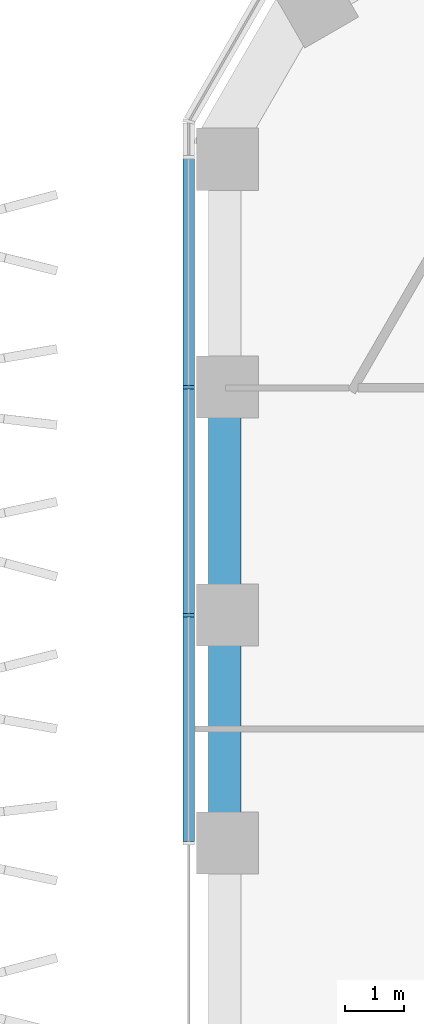
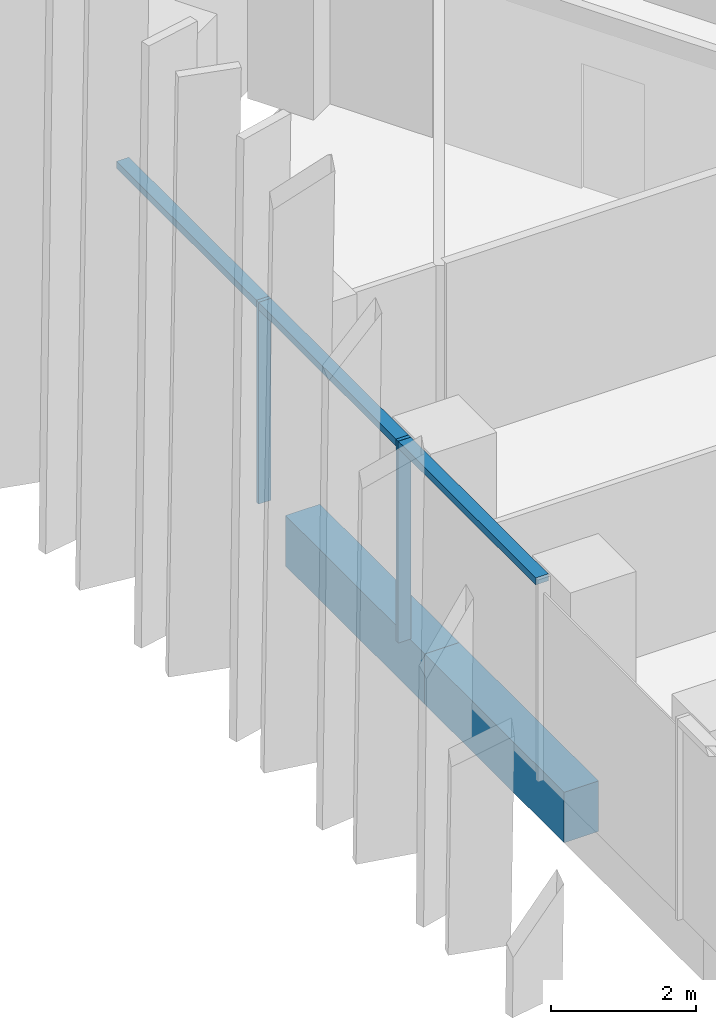
# One storey, part 3 of 19: 3 members, 2 beams, 1 element without a shape of its own.
"""IFC4 building model written with IfcOpenShell, lengths in metres."""

from ifc_helpers import new_model, si_unit, direction, frame, origin, origin_2d, place, context, subcontext, project, spatial, rectangle, extrude, material, layer, layer_set, material_profile, profile_set, type_object, element, aggregate, save


model = new_model("IFC4")

# Units and contexts
model_context = context("Model", 3, precision=1e-05, world=origin(), true_north=direction((0.0, 1.0)))
body_context = subcontext(model_context, "Body", "Model", "MODEL_VIEW")
ifc_project = project(units=[si_unit("LENGTHUNIT", "METRE"), si_unit("AREAUNIT", "SQUARE_METRE"), si_unit("VOLUMEUNIT", "CUBIC_METRE"), si_unit("PLANEANGLEUNIT", "RADIAN"), si_unit("MASSUNIT", "GRAM", prefix="KILO")], contexts=[model_context])

# Site, building, storey
site_placement = place(None, origin())
site = spatial("IfcSite", under=ifc_project, at=site_placement, CompositionType="ELEMENT")
building_placement = place(site_placement, origin())
building = spatial("IfcBuilding", under=site, at=building_placement, Name="Ayvan Gate Tower", CompositionType="ELEMENT")
storey_placement = place(building_placement, frame((0.0, 0.0, 93.300048828125)))
storey = spatial("IfcBuildingStorey", under=building, at=storey_placement, Name="L24", CompositionType="ELEMENT", Elevation=93.300048828125)

# Beams
ifc_material_1 = material(Name="Concrete C40/50", Category="concrete")
ifc_material_profile_1 = material_profile(ifc_material_1, rectangle(XDim=0.550048828125, YDim=0.85009765625, at=origin_2d()), Name="RC 550x850")
ifc_profile_set_1 = profile_set([ifc_material_profile_1], Name="Concrete C40/50")
beam_type = type_object("IfcBeamType", Name="Spandrel beam RC 550x850 C40/50", PredefinedType="BEAM", material=ifc_profile_set_1)
for number, where, z_axis, x_axis, name in (
    (1, (-19.321044921875, 5.767822265625, -0.775146484375), (0.0, -1.0, 0.0), (1.0, 0.0, 0.0), "SB-L24-20"),
    (2, (-19.321044921875, 1.922607421875, -0.775146484375), (0.0, -1.0, 0.0), (1.0, 0.0, 0.0), "SB-L24-21"),
):
    element("IfcBeam", number, at=place(storey_placement, frame(where, z_axis=z_axis, x_axis=x_axis)), inside=storey, type_object=beam_type, Name=name, PredefinedType="BEAM", context=body_context, shape_type="SweptSolid", body=[
        extrude(rectangle(XDim=0.550048828125, YDim=0.85009765625, at=origin_2d()), origin(), (0.0, 0.0, 1.0), 3.84521484375),
    ])

# Curtain wall, members
ifc_material_2 = material(Name="Bronze anodised aluminium", Category="aluminium")
ifc_layer = layer(ifc_material_2, 0.199951171875)
ifc_layer_set = layer_set([ifc_layer], Name="Bronze anodised aluminium")
curtain_wall_type = type_object("IfcCurtainWallType", Name="Stick curtain wall CW-1", PredefinedType="NOTDEFINED", material=ifc_layer_set)
curtain_wall_placement = place(storey_placement, origin())
curtain_wall = element("IfcCurtainWall", 3, at=curtain_wall_placement, inside=storey, type_object=curtain_wall_type, Name="Stick curtain wall CW-1 L24", PredefinedType="NOTDEFINED")
ifc_material_profile_2 = material_profile(ifc_material_2, rectangle(XDim=0.199951171875, YDim=0.06005859375, at=origin_2d()), Name="Stick curtain wall CW-1 mullion 200 x 60")
ifc_profile_set_2 = profile_set([ifc_material_profile_2], Name="Bronze anodised aluminium")
member_type_1 = type_object("IfcMemberType", Name="Stick curtain wall CW-1 mullion 200 x 60", PredefinedType="MULLION", material=ifc_profile_set_2)
member_1_placement = place(storey_placement, frame((-19.9326171875, 5.782958984375, 0.0), z_axis=(0.0, 0.0, 1.0), x_axis=(-1.0, 0.0, 0.0)))
member_1 = element("IfcMember", 4, at=member_1_placement, type_object=member_type_1, Name="CW-1 mullion 2", PredefinedType="MULLION", context=body_context, shape_type="SweptSolid", body=[
    extrude(rectangle(XDim=0.199951171875, YDim=0.06005859375, at=origin_2d()), origin(), (0.0, 0.0, 1.0), 3.39990234375),
])
member_2_placement = place(storey_placement, frame((-19.9326171875, 1.927978515625, 0.0), z_axis=(0.0, 0.0, 1.0), x_axis=(-1.0, 0.0, 0.0)))
member_2 = element("IfcMember", 5, at=member_2_placement, type_object=member_type_1, Name="CW-1 mullion 3", PredefinedType="MULLION", context=body_context, shape_type="SweptSolid", body=[
    extrude(rectangle(XDim=0.199951171875, YDim=0.06005859375, at=origin_2d()), origin(), (0.0, 0.0, 1.0), 3.39990234375),
])
ifc_material_profile_3 = material_profile(ifc_material_2, rectangle(XDim=0.199951171875, YDim=0.1201171875, at=origin_2d()), Name="Stick curtain wall CW-1 transom 200 x 120")
ifc_profile_set_3 = profile_set([ifc_material_profile_3], Name="Bronze anodised aluminium")
member_type_2 = type_object("IfcMemberType", Name="Stick curtain wall CW-1 transom 200 x 120", PredefinedType="USERDEFINED", material=ifc_profile_set_3)
member_3_placement = place(storey_placement, frame((-19.9326171875, 9.673095703125, 3.33984375), z_axis=(0.0, -1.0, 0.0), x_axis=(1.0, 0.0, 0.0)))
member_3 = element("IfcMember", 6, at=member_3_placement, type_object=member_type_2, Name="CW-1 transom 1", ObjectType="TRANSOM", PredefinedType="USERDEFINED", context=body_context, shape_type="SweptSolid", body=[
    extrude(rectangle(XDim=0.199951171875, YDim=0.1201171875, at=origin_2d()), origin(), (0.0, 0.0, 1.0), 11.571044921875),
])
aggregate(curtain_wall, [member_1, member_2, member_3])

save(model, "model.ifc")
